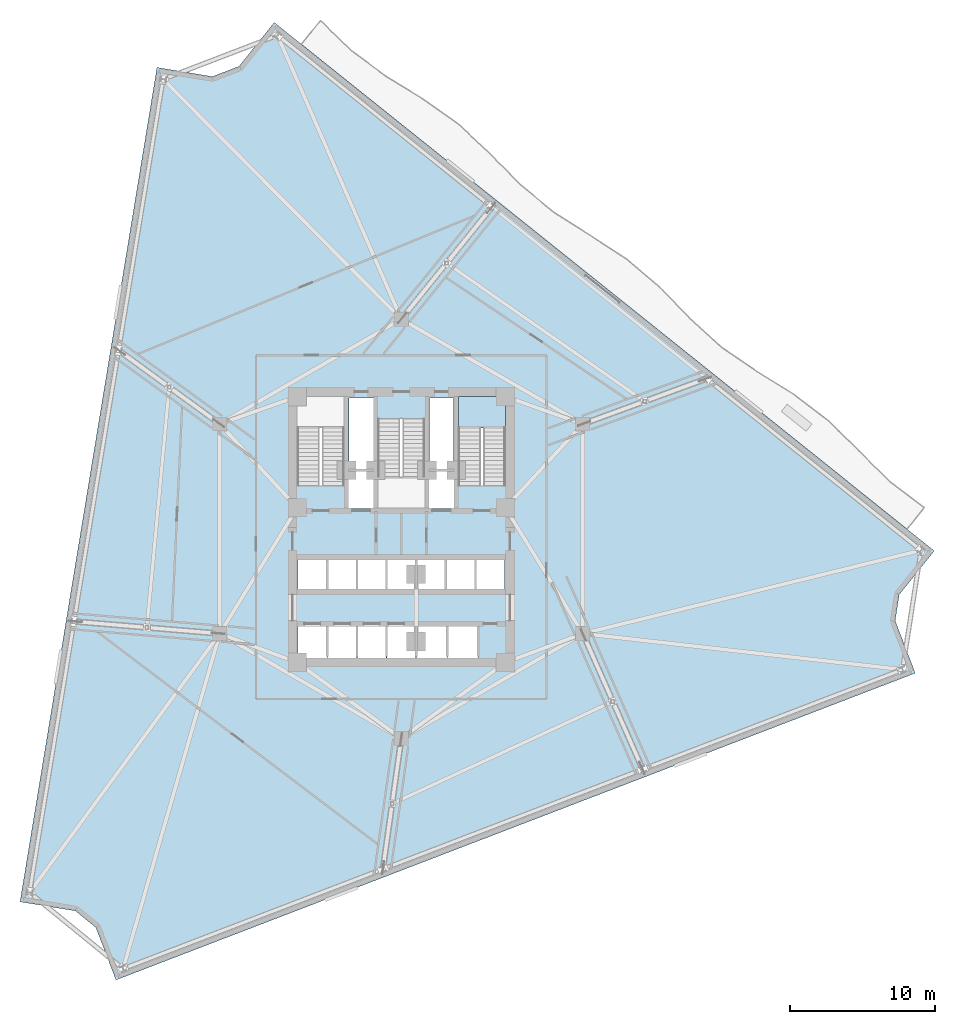
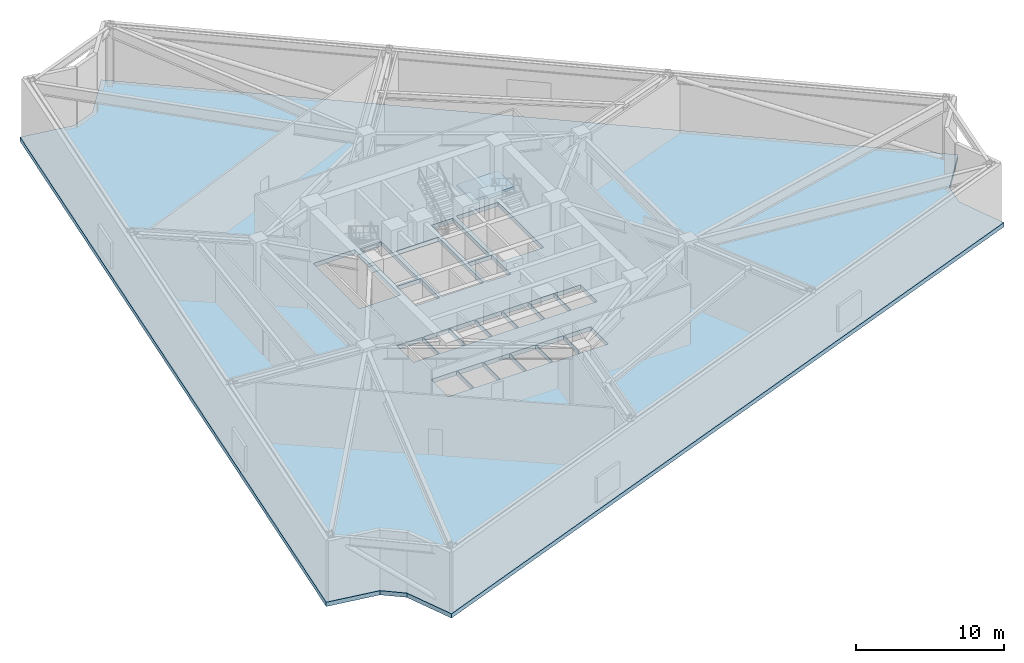
# One storey, part 9 of 18: 2 slabs, 1 element without a shape of its own.
"""IFC4 building model written with IfcOpenShell, lengths in metres."""

from ifc_helpers import new_model, si_unit, direction, frame, origin, place, context, subcontext, project, spatial, polyline, outline, extrude, material, layer, layer_set, type_object, element, aggregate, save


model = new_model("IFC4")

# Units and contexts
model_context = context("Model", 3, precision=1e-05, world=origin(), true_north=direction((0.0, 1.0)))
body_context = subcontext(model_context, "Body", "Model", "MODEL_VIEW")
ifc_project = project(units=[si_unit("LENGTHUNIT", "METRE"), si_unit("AREAUNIT", "SQUARE_METRE"), si_unit("VOLUMEUNIT", "CUBIC_METRE"), si_unit("PLANEANGLEUNIT", "RADIAN"), si_unit("MASSUNIT", "GRAM", prefix="KILO")], contexts=[model_context])

# Site, building, storey
site_placement = place(None, origin())
site = spatial("IfcSite", under=ifc_project, at=site_placement, CompositionType="ELEMENT")
building_placement = place(site_placement, origin())
building = spatial("IfcBuilding", under=site, at=building_placement, Name="Apsidion Concourse Tower", CompositionType="ELEMENT")
storey_placement = place(building_placement, frame((0.0, 0.0, 127.0)))
storey = spatial("IfcBuildingStorey", under=building, at=storey_placement, Name="L29", CompositionType="ELEMENT", Elevation=127.0)

# Slab
ifc_material_1 = material(Name="Concrete C50/60", Category="concrete")
ifc_layer_1 = layer(ifc_material_1, 0.35009765625)
ifc_layer_set_1 = layer_set([ifc_layer_1], Name="Concrete C50/60")
slab_type_1 = type_object("IfcSlabType", Name="SL-FLR-350", PredefinedType="FLOOR", material=ifc_layer_set_1)
slab_1_placement = place(storey_placement, frame((0.0, 0.0, -0.35009765625)))
element("IfcSlab", 1, at=slab_1_placement, inside=storey, type_object=slab_type_1, Name="L29 Structural Floor Slab", PredefinedType="FLOOR", context=body_context, shape_type="SweptSolid", body=[
    extrude(outline(polyline([(-8.792724609375, 35.029541015625), (-11.219970703125, 31.997802734375), (-13.072509765625, 31.286376953125), (-16.905029296875, 31.91552734375), (-26.37939453125, -25.80517578125), (-22.547119140625, -26.434326171875), (-21.131103515625, -27.587646484375), (-19.7392578125, -31.21337890625), (35.554931640625, -9.98779296875), (34.1630859375, -6.3623046875), (34.44384765625, -4.5576171875), (36.870849609375, -1.525634765625), (-8.792724609375, 35.029541015625)]), holes=[polyline([(-3.949951171875, 3.0), (-3.949951171875, 9.14990234375), (-7.199951171875, 9.14990234375), (-7.199951171875, 3.0), (-3.949951171875, 3.0)]), polyline([(7.199951171875, 3.0), (7.199951171875, 9.14990234375), (3.949951171875, 9.14990234375), (3.949951171875, 3.0), (7.199951171875, 3.0)]), polyline([(-1.625, 7.60009765625), (-1.625, 1.449951171875), (1.625, 1.449951171875), (1.625, 7.60009765625), (-1.625, 7.60009765625)]), polyline([(-7.14501953125, -4.300048828125), (-5.155029296875, -4.300048828125), (-5.155029296875, -2.050048828125), (-7.14501953125, -2.050048828125), (-7.14501953125, -4.300048828125)]), polyline([(-5.094970703125, -4.300048828125), (-3.10498046875, -4.300048828125), (-3.10498046875, -2.050048828125), (-5.094970703125, -2.050048828125), (-5.094970703125, -4.300048828125)]), polyline([(-3.044921875, -4.300048828125), (-1.054931640625, -4.300048828125), (-1.054931640625, -2.050048828125), (-3.044921875, -2.050048828125), (-3.044921875, -4.300048828125)]), polyline([(-0.9951171875, -4.300048828125), (0.9951171875, -4.300048828125), (0.9951171875, -2.050048828125), (-0.9951171875, -2.050048828125), (-0.9951171875, -4.300048828125)]), polyline([(1.054931640625, -4.300048828125), (3.044921875, -4.300048828125), (3.044921875, -2.050048828125), (1.054931640625, -2.050048828125), (1.054931640625, -4.300048828125)]), polyline([(3.10498046875, -4.300048828125), (5.094970703125, -4.300048828125), (5.094970703125, -2.050048828125), (3.10498046875, -2.050048828125), (3.10498046875, -4.300048828125)]), polyline([(5.155029296875, -4.300048828125), (7.14501953125, -4.300048828125), (7.14501953125, -2.050048828125), (5.155029296875, -2.050048828125), (5.155029296875, -4.300048828125)]), polyline([(-7.14501953125, -8.949951171875), (-5.155029296875, -8.949951171875), (-5.155029296875, -6.64990234375), (-7.14501953125, -6.64990234375), (-7.14501953125, -8.949951171875)]), polyline([(-5.094970703125, -8.949951171875), (-3.10498046875, -8.949951171875), (-3.10498046875, -6.64990234375), (-5.094970703125, -6.64990234375), (-5.094970703125, -8.949951171875)]), polyline([(-3.044921875, -8.949951171875), (-1.054931640625, -8.949951171875), (-1.054931640625, -6.64990234375), (-3.044921875, -6.64990234375), (-3.044921875, -8.949951171875)]), polyline([(-0.9951171875, -8.949951171875), (0.9951171875, -8.949951171875), (0.9951171875, -6.64990234375), (-0.9951171875, -6.64990234375), (-0.9951171875, -8.949951171875)]), polyline([(1.044921875, -9.0), (3.155029296875, -9.0), (3.155029296875, -6.64990234375), (1.044921875, -6.64990234375), (1.044921875, -9.0)]), polyline([(3.195068359375, -9.0), (5.304931640625, -9.0), (5.304931640625, -6.64990234375), (3.195068359375, -6.64990234375), (3.195068359375, -9.0)]), polyline([(-3.7099609375, 1.39990234375), (-1.85009765625, 1.39990234375), (-1.85009765625, 4.0), (-3.7099609375, 4.0), (-3.7099609375, 1.39990234375)]), polyline([(1.85009765625, 1.39990234375), (3.7099609375, 1.39990234375), (3.7099609375, 4.0), (1.85009765625, 4.0), (1.85009765625, 1.39990234375)]), polyline([(-3.6201171875, 4.14990234375), (-1.93994140625, 4.14990234375), (-1.93994140625, 9.050048828125), (-3.6201171875, 9.050048828125), (-3.6201171875, 4.14990234375)]), polyline([(1.93994140625, 4.14990234375), (3.6201171875, 4.14990234375), (3.6201171875, 9.050048828125), (1.93994140625, 9.050048828125), (1.93994140625, 4.14990234375)])]), origin(), (0.0, 0.0, 1.0), 0.35009765625),
])

# Stair, slab
ifc_material_2 = material(Name="Precast concrete C40/50", Category="concrete")
stair_type = type_object("IfcStairType", Name="ST-DL-1550", PredefinedType="HALF_TURN_STAIR", material=ifc_material_2)
stair_placement = place(storey_placement, origin())
stair = element("IfcStair", 2, at=stair_placement, inside=storey, type_object=stair_type, Name="L29 Protected Core Exit Stair ST2", PredefinedType="HALF_TURN_STAIR")
ifc_layer_2 = layer(ifc_material_1, 0.199951171875)
ifc_layer_set_2 = layer_set([ifc_layer_2], Name="Concrete C50/60")
slab_type_2 = type_object("IfcSlabType", Name="SL-ST-LAND-200", PredefinedType="LANDING", material=ifc_layer_set_2)
slab_2_placement = place(storey_placement, frame((0.0, 0.0, 2.39990234375)))
slab_2 = element("IfcSlab", 3, at=slab_2_placement, type_object=slab_type_2, Name="ST2 landing 1", PredefinedType="LANDING", context=body_context, shape_type="SweptSolid", body=[
    extrude(outline(polyline([(7.199951171875, 6.989990234375), (7.199951171875, 9.14990234375), (3.949951171875, 9.14990234375), (3.949951171875, 6.989990234375), (7.199951171875, 6.989990234375)])), origin(), (0.0, 0.0, 1.0), 0.2001953125),
])
aggregate(stair, [slab_2])

save(model, "model.ifc")
